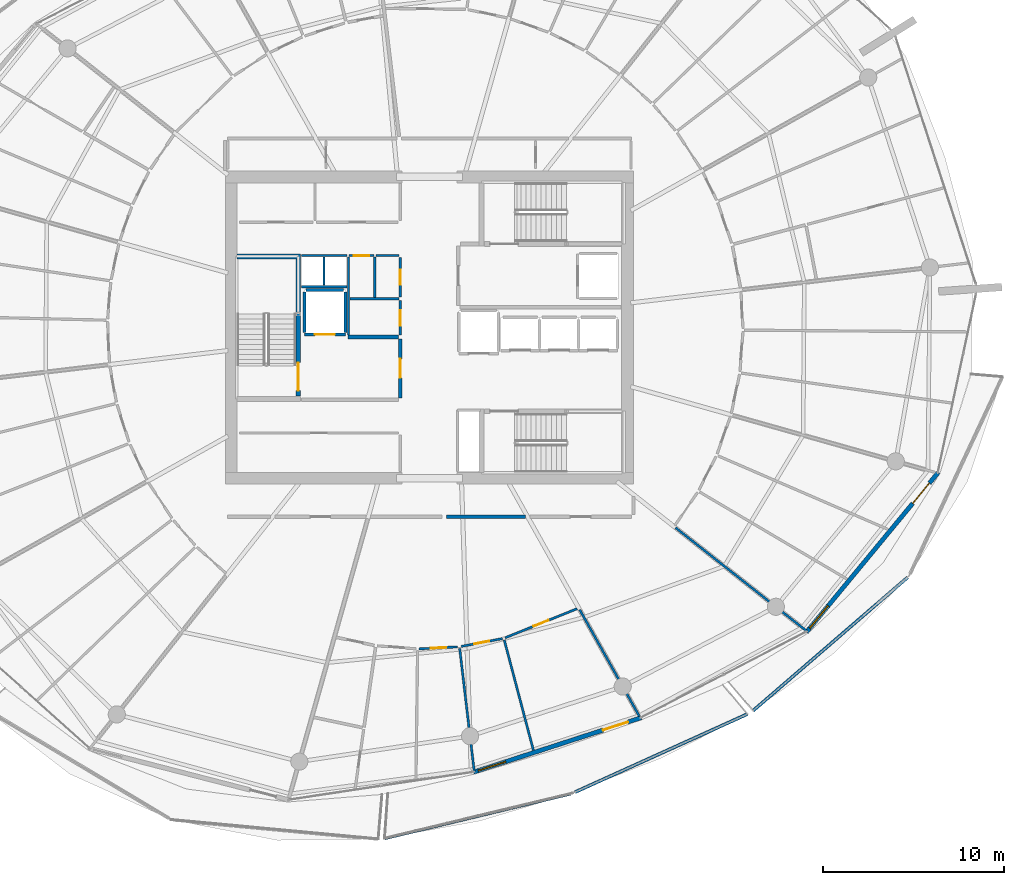
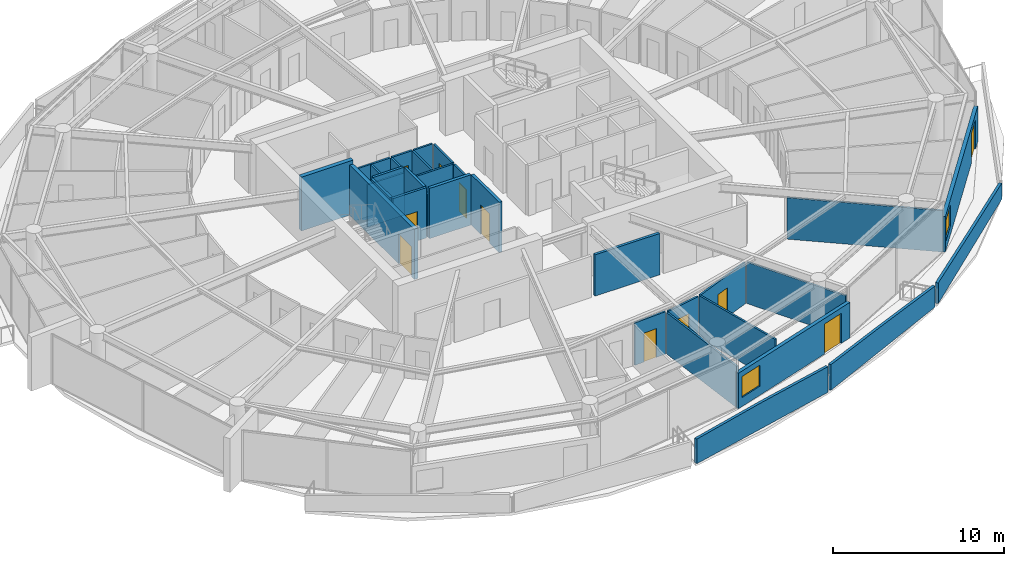
# One storey, part 19 of 30: 31 walls, 11 doors, 2 windows, 13 openings.
"""IFC4 building model written with IfcOpenShell, lengths in metres."""

from ifc_helpers import new_model, si_unit, direction, frame, frame_2d, origin, place, context, subcontext, project, spatial, polyline, rectangle, outline, extrude, material, layer, layer_set, type_object, element, fill, save


model = new_model("IFC4")

# Units and contexts
model_context = context("Model", 3, precision=1e-05, world=origin(), true_north=direction((0.0, 1.0)))
body_context = subcontext(model_context, "Body", "Model", "MODEL_VIEW")
ifc_project = project(units=[si_unit("LENGTHUNIT", "METRE"), si_unit("AREAUNIT", "SQUARE_METRE"), si_unit("VOLUMEUNIT", "CUBIC_METRE"), si_unit("PLANEANGLEUNIT", "RADIAN"), si_unit("MASSUNIT", "GRAM", prefix="KILO")], contexts=[model_context])

# Site, building, storey
site_placement = place(None, origin())
site = spatial("IfcSite", under=ifc_project, at=site_placement, CompositionType="ELEMENT")
building_placement = place(site_placement, origin())
building = spatial("IfcBuilding", under=site, at=building_placement, Name="Kazma Halo Residences", CompositionType="ELEMENT")
storey_placement = place(building_placement, frame((0.0, 0.0, 263.64990234375)))
storey = spatial("IfcBuildingStorey", under=building, at=storey_placement, Name="L66", CompositionType="ELEMENT", Elevation=263.64990234375)

# Walls
ifc_material_1 = material(Name="White Concrete C50/60 Balustrade", Category="concrete")
ifc_layer_1 = layer(ifc_material_1, 0.179931640625)
ifc_layer_set_1 = layer_set([ifc_layer_1], Name="White Concrete C50/60 Balustrade")
wall_type_1 = type_object("IfcWallType", Name="WL-BAL-WAVE-180", PredefinedType="PARAPET", material=ifc_layer_set_1)
wall_1_placement = place(storey_placement, frame((45.952392578125, 13.780517578125, 0.0), z_axis=(0.0, 0.0, 1.0), x_axis=(0.972325059784, 0.233632142729, 0.0)))
element("IfcWall", 1, at=wall_1_placement, inside=storey, type_object=wall_type_1, Name="L66 white wave balustrade wall SSE.1", PredefinedType="PARAPET", context=body_context, shape_type="SweptSolid", body=[
    extrude(outline(polyline([(0.0, 0.0), (10.580322265625, 0.0), (10.580322265625, 1.83203125), (5.290283203125, 1.85302734375), (0.0, 1.756103515625), (0.0, 0.0)])), frame((0.0, 0.08984375, 0.0), z_axis=(0.0, -1.0, 0.0), x_axis=(1.0, 0.0, 0.0)), (0.0, 0.0, 1.0), 0.179931640625),
])
wall_2_placement = place(storey_placement, frame((56.466064453125, 16.329833984375, 0.0), z_axis=(0.0, 0.0, 1.0), x_axis=(0.910900469726, 0.412626143444, 0.0)))
element("IfcWall", 2, at=wall_2_placement, inside=storey, type_object=wall_type_1, Name="L66 white wave balustrade wall SSE.2", PredefinedType="PARAPET", context=body_context, shape_type="SweptSolid", body=[
    extrude(outline(polyline([(0.0, 0.0), (10.4755859375, 0.0), (10.4755859375, 1.4970703125), (5.23779296875, 1.696044921875), (0.0, 1.83203125), (0.0, 0.0)])), frame((0.0, 0.08984375, 0.0), z_axis=(0.0, -1.0, 0.0), x_axis=(1.0, 0.0, 0.0)), (0.0, 0.0, 1.0), 0.179931640625),
])
wall_3_placement = place(storey_placement, frame((66.30615234375, 20.82958984375, 0.0), z_axis=(0.0, 0.0, 1.0), x_axis=(0.757188428153, 0.653196512751, 0.0)))
element("IfcWall", 3, at=wall_3_placement, inside=storey, type_object=wall_type_1, Name="L66 white wave balustrade wall SE.1", PredefinedType="PARAPET", context=body_context, shape_type="SweptSolid", body=[
    extrude(outline(polyline([(0.0, 0.0), (11.2783203125, 0.0), (11.2783203125, 1.148193359375), (5.63916015625, 1.2841796875), (0.0, 1.483154296875), (0.0, 0.0)])), frame((0.0, 0.08984375, 0.0), z_axis=(0.0, -1.0, 0.0), x_axis=(1.0, 0.0, 0.0)), (0.0, 0.0, 1.0), 0.179931640625),
])
ifc_material_2 = material(Name="Concrete C60/75", Category="concrete")
ifc_layer_2 = layer(ifc_material_2, 0.280029296875)
ifc_layer_set_2 = layer_set([ifc_layer_2], Name="Concrete C60/75")
wall_type_2 = type_object("IfcWallType", Name="WL-CORE-ST-280", PredefinedType="SHEAR", material=ifc_layer_set_2)
wall_4_placement = place(storey_placement, frame((37.800048828125, 45.93994140625, 0.0), z_axis=(0.0, 0.0, 1.0), x_axis=(1.0, 0.0, 0.0)))
element("IfcWall", 4, at=wall_4_placement, inside=storey, type_object=wall_type_2, Name="L66 stairwell bearing wall ST01-N", PredefinedType="SHEAR", context=body_context, shape_type="SweptSolid", body=[
    extrude(rectangle(XDim=3.5, YDim=0.280029296875, at=frame_2d((1.75, 0.0))), origin(), (0.0, 0.0, 1.0), 3.85009765625),
])
ifc_material_3 = material(Name="Acoustic Twin-Stud Gypsum")
ifc_layer_3 = layer(ifc_material_3, 0.179931640625)
ifc_layer_set_3 = layer_set([ifc_layer_3], Name="Acoustic Twin-Stud Gypsum")
wall_type_3 = type_object("IfcWallType", Name="WL-DEM-180", PredefinedType="PARTITIONING", material=ifc_layer_set_3)
wall_5_placement = place(storey_placement, frame((49.356689453125, 31.550048828125, 0.0), z_axis=(0.0, 0.0, 1.0), x_axis=(1.0, 0.0, 0.0)))
element("IfcWall", 5, at=wall_5_placement, inside=storey, type_object=wall_type_3, Name="L66 Apartment 2 inner wall 11", PredefinedType="PARTITIONING", context=body_context, shape_type="SweptSolid", body=[
    extrude(rectangle(XDim=4.375732421875, YDim=0.179931640625, at=frame_2d((2.18798828125, 0.0))), origin(), (0.0, 0.0, 1.0), 2.95703125),
])

# Wall, openings, door, window
ifc_material_4 = material(Name="Insulated Pale-Metal Composite Wall")
ifc_layer_4 = layer(ifc_material_4, 0.239990234375)
ifc_layer_set_4 = layer_set([ifc_layer_4], Name="Insulated Pale-Metal Composite Wall")
wall_type_4 = type_object("IfcWallType", Name="WL-EXT-HOST-240", PredefinedType="SOLIDWALL", material=ifc_layer_set_4)
wall_6_placement = place(storey_placement, frame((50.85791015625, 17.436279296875, 0.0), z_axis=(0.0, 0.0, 1.0), x_axis=(0.951055974609, 0.309018661507, 0.0)))
wall_6 = element("IfcWall", 6, at=wall_6_placement, inside=storey, type_object=wall_type_4, Name="L66 exterior terrace-access wall B12", PredefinedType="SOLIDWALL", context=body_context, shape_type="SweptSolid", body=[
    extrude(rectangle(XDim=9.745361328125, YDim=0.239990234375, at=frame_2d((4.87255859375, 0.0))), origin(), (0.0, 0.0, 1.0), 2.5400390625),
])
opening_1_placement = place(wall_6_placement, frame((7.525390625, 0.0, 0.0)))
opening_1 = element("IfcOpeningElement", 7, at=opening_1_placement, cuts=wall_6, Name="Opening DTR-1600", PredefinedType="OPENING", context=body_context, shape_type="SweptSolid", body=[
    extrude(rectangle(XDim=1.449951171875, YDim=2.14990234375, at=frame_2d((0.72509765625, 1.074951171875))), frame((0.0, 0.1298828125, 0.0), z_axis=(0.0, -1.0, 0.0), x_axis=(1.0, 0.0, 0.0)), (0.0, 0.0, 1.0), 0.260009765625),
])
opening_2_placement = place(wall_6_placement, frame((0.280029296875, 0.0, 0.64990234375)))
opening_2 = element("IfcOpeningElement", 8, at=opening_2_placement, cuts=wall_6, Name="Opening W-1800", PredefinedType="OPENING", context=body_context, shape_type="SweptSolid", body=[
    extrude(rectangle(XDim=1.60009765625, YDim=1.5, at=frame_2d((0.800048828125, 0.75))), frame((0.0, 0.1298828125, 0.0), z_axis=(0.0, -1.0, 0.0), x_axis=(1.0, 0.0, 0.0)), (0.0, 0.0, 1.0), 0.260009765625),
])
ifc_material_5 = material(Name="Aluminium AW-6063 T6 Double-Glazed Terrace Door", Category="aluminium")
door_type_1 = type_object("IfcDoorType", Name="DR-EXT-TERR-1600", OperationType="NOTDEFINED", PredefinedType="DOOR", material=ifc_material_5)
door_1_placement = place(opening_1_placement, origin())
door_1 = element("IfcDoor", 9, at=door_1_placement, inside=storey, type_object=door_type_1, Name="L66 B12 balcony terrace door", OperationType="DOUBLE_DOOR_SLIDING", OverallHeight=2.14990234375, OverallWidth=1.449951171875, PredefinedType="DOOR", context=body_context, shape_type="SweptSolid", body=[
    extrude(rectangle(XDim=1.449951171875, YDim=2.14990234375, at=frame_2d((0.72509765625, 1.074951171875))), frame((0.0, 0.02490234375, 0.0), z_axis=(0.0, -1.0, 0.0), x_axis=(1.0, 0.0, 0.0)), (0.0, 0.0, 1.0), 0.050048828125),
])
fill(opening_1, door_1)
ifc_material_6 = material(Name="Clear Triple-Silver Low-E Glass in Aluminium AW-6063 T6 Frame", Category="aluminium")
window_type = type_object("IfcWindowType", Name="WIN-RES-1800", PartitioningType="DOUBLE_PANEL_VERTICAL", PredefinedType="WINDOW", material=ifc_material_6)
window_1_placement = place(opening_2_placement, origin())
window_1 = element("IfcWindow", 10, at=window_1_placement, inside=storey, type_object=window_type, Name="L66 B12 apartment window", OverallHeight=1.5, OverallWidth=1.60009765625, PartitioningType="SINGLE_PANEL", PredefinedType="WINDOW", context=body_context, shape_type="SweptSolid", body=[
    extrude(rectangle(XDim=1.60009765625, YDim=1.5, at=frame_2d((0.800048828125, 0.75))), frame((0.0, 0.030029296875, 0.0), z_axis=(0.0, -1.0, 0.0), x_axis=(1.0, 0.0, 0.0)), (0.0, 0.0, 1.0), 0.06005859375),
])
fill(opening_2, window_1)

wall_7_placement = place(storey_placement, frame((69.2578125, 25.177978515625, 0.0), z_axis=(0.0, 0.0, 1.0), x_axis=(0.636680093065, 0.771128043255, 0.0)))
wall_7 = element("IfcWall", 11, at=wall_7_placement, inside=storey, type_object=wall_type_4, Name="L66 exterior terrace-access wall B14", PredefinedType="SOLIDWALL", context=body_context, shape_type="SweptSolid", body=[
    extrude(rectangle(XDim=11.438232421875, YDim=0.239990234375, at=frame_2d((5.71923828125, 0.0))), origin(), (0.0, 0.0, 1.0), 2.5400390625),
])
opening_3_placement = place(wall_7_placement, frame((9.21826171875, 0.0, 0.0)))
opening_3 = element("IfcOpeningElement", 12, at=opening_3_placement, cuts=wall_7, Name="Opening DTR-1600", PredefinedType="OPENING", context=body_context, shape_type="SweptSolid", body=[
    extrude(rectangle(XDim=1.449951171875, YDim=2.14990234375, at=frame_2d((0.72509765625, 1.074951171875))), frame((0.0, 0.1298828125, 0.0), z_axis=(0.0, -1.0, 0.0), x_axis=(1.0, 0.0, 0.0)), (0.0, 0.0, 1.0), 0.260009765625),
])
opening_4_placement = place(wall_7_placement, frame((0.280029296875, 0.0, 0.64990234375)))
opening_4 = element("IfcOpeningElement", 13, at=opening_4_placement, cuts=wall_7, Name="Opening W-1800", PredefinedType="OPENING", context=body_context, shape_type="SweptSolid", body=[
    extrude(rectangle(XDim=1.60009765625, YDim=1.5, at=frame_2d((0.800048828125, 0.75))), frame((0.0, 0.1298828125, 0.0), z_axis=(0.0, -1.0, 0.0), x_axis=(1.0, 0.0, 0.0)), (0.0, 0.0, 1.0), 0.260009765625),
])
door_2_placement = place(opening_3_placement, origin())
door_2 = element("IfcDoor", 14, at=door_2_placement, inside=storey, type_object=door_type_1, Name="L66 B14 balcony terrace door", OperationType="DOUBLE_DOOR_SLIDING", OverallHeight=2.14990234375, OverallWidth=1.449951171875, PredefinedType="DOOR", context=body_context, shape_type="SweptSolid", body=[
    extrude(rectangle(XDim=1.449951171875, YDim=2.14990234375, at=frame_2d((0.72509765625, 1.074951171875))), frame((0.0, 0.02490234375, 0.0), z_axis=(0.0, -1.0, 0.0), x_axis=(1.0, 0.0, 0.0)), (0.0, 0.0, 1.0), 0.050048828125),
])
fill(opening_3, door_2)
window_2_placement = place(opening_4_placement, origin())
window_2 = element("IfcWindow", 15, at=window_2_placement, inside=storey, type_object=window_type, Name="L66 B14 apartment window", OverallHeight=1.5, OverallWidth=1.60009765625, PartitioningType="SINGLE_PANEL", PredefinedType="WINDOW", context=body_context, shape_type="SweptSolid", body=[
    extrude(rectangle(XDim=1.60009765625, YDim=1.5, at=frame_2d((0.800048828125, 0.75))), frame((0.0, 0.030029296875, 0.0), z_axis=(0.0, -1.0, 0.0), x_axis=(1.0, 0.0, 0.0)), (0.0, 0.0, 1.0), 0.06005859375),
])
fill(opening_4, window_2)

# Wall, opening, door
ifc_material_7 = material(Name="Fire-Rated Blockwork Masonry", Category="masonry")
ifc_layer_5 = layer(ifc_material_7, 0.199951171875)
ifc_layer_set_5 = layer_set([ifc_layer_5], Name="Fire-Rated Blockwork Masonry")
wall_type_5 = type_object("IfcWallType", Name="WL-FLB-200", PredefinedType="PARTITIONING", material=ifc_layer_set_5)
wall_8_placement = place(storey_placement, frame((43.780029296875, 41.6201171875, 0.0), z_axis=(0.0, 0.0, 1.0), x_axis=(-1.0, 0.0, 0.0)))
wall_8 = element("IfcWall", 16, at=wall_8_placement, inside=storey, type_object=wall_type_5, Name="L66 lift shaft FL-01 front wall", PredefinedType="PARTITIONING", context=body_context, shape_type="SweptSolid", body=[
    extrude(rectangle(XDim=2.260009765625, YDim=0.159912109375, at=frame_2d((1.1298828125, 0.0))), origin(), (0.0, 0.0, 1.0), 3.590087890625),
])
opening_5_placement = place(wall_8_placement, frame((0.580078125, 0.0, 0.0)))
opening_5 = element("IfcOpeningElement", 17, at=opening_5_placement, cuts=wall_8, Name="Opening LD-FL-01", PredefinedType="OPENING", context=body_context, shape_type="SweptSolid", body=[
    extrude(rectangle(XDim=1.10009765625, YDim=2.10009765625, at=frame_2d((0.550048828125, 1.050048828125))), frame((0.0, 0.08984375, 0.0), z_axis=(0.0, -1.0, 0.0), x_axis=(1.0, 0.0, 0.0)), (0.0, 0.0, 1.0), 0.179931640625),
])
ifc_material_8 = material(Name="Stainless Steel Fire-Rated", Category="steel")
door_type_2 = type_object("IfcDoorType", Name="DR-LIFT-SLD-1100", OperationType="DOUBLE_DOOR_SLIDING", PredefinedType="DOOR", material=ifc_material_8)
door_3_placement = place(opening_5_placement, origin())
door_3 = element("IfcDoor", 18, at=door_3_placement, inside=storey, type_object=door_type_2, Name="L66 lift FL-01 sliding landing door", OperationType="DOUBLE_DOOR_SLIDING", OverallHeight=2.10009765625, OverallWidth=1.10009765625, PredefinedType="DOOR", context=body_context, shape_type="SweptSolid", body=[
    extrude(rectangle(XDim=1.10009765625, YDim=2.10009765625, at=frame_2d((0.550048828125, 1.050048828125))), frame((0.0, 0.02490234375, 0.0), z_axis=(0.0, -1.0, 0.0), x_axis=(1.0, 0.0, 0.0)), (0.0, 0.0, 1.0), 0.050048828125),
])
fill(opening_5, door_3)

# Walls
for number, where, z_axis, x_axis, name in (
    (19, (43.780029296875, 41.719970703125, 0.0), (0.0, 0.0, 1.0), (0.0, 1.0, 0.0), "L66 lift shaft FL-01 side wall E"),
    (20, (41.52001953125, 41.719970703125, 0.0), (0.0, 0.0, 1.0), (0.0, 1.0, 0.0), "L66 lift shaft FL-01 side wall W"),
):
    element("IfcWall", number, at=place(storey_placement, frame(where, z_axis=z_axis, x_axis=x_axis)), inside=storey, type_object=wall_type_5, Name=name, PredefinedType="PARTITIONING", context=body_context, shape_type="SweptSolid", body=[
        extrude(rectangle(XDim=2.260009765625, YDim=0.159912109375, at=frame_2d((1.1298828125, 0.0))), origin(), (0.0, 0.0, 1.0), 3.590087890625),
    ])
wall_9_placement = place(storey_placement, frame((41.6201171875, 44.080078125, 0.0), z_axis=(0.0, 0.0, 1.0), x_axis=(1.0, 0.0, 0.0)))
element("IfcWall", 21, at=wall_9_placement, inside=storey, type_object=wall_type_5, Name="L66 lift shaft FL-01 side wall N", PredefinedType="PARTITIONING", context=body_context, shape_type="SweptSolid", body=[
    extrude(rectangle(XDim=2.059814453125, YDim=0.159912109375, at=frame_2d((1.02978515625, 0.0))), origin(), (0.0, 0.0, 1.0), 3.590087890625),
])
wall_10_placement = place(storey_placement, frame((43.919921875, 41.47998046875, 0.0), z_axis=(0.0, 0.0, 1.0), x_axis=(1.0, 0.0, 0.0)))
element("IfcWall", 22, at=wall_10_placement, inside=storey, type_object=wall_type_5, Name="L66 west firefighting lobby north smoke wall", PredefinedType="PARTITIONING", context=body_context, shape_type="SweptSolid", body=[
    extrude(rectangle(XDim=2.800048828125, YDim=0.199951171875, at=frame_2d((1.39990234375, 0.0))), origin(), (0.0, 0.0, 1.0), 3.590087890625),
])

# Wall, opening, door
wall_11_placement = place(storey_placement, frame((46.820068359375, 38.1201171875, 0.0), z_axis=(0.0, 0.0, 1.0), x_axis=(0.0, 1.0, 0.0)))
wall_11 = element("IfcWall", 23, at=wall_11_placement, inside=storey, type_object=wall_type_5, Name="L66 west firefighting lobby smoke wall", PredefinedType="PARTITIONING", context=body_context, shape_type="SweptSolid", body=[
    extrude(rectangle(XDim=3.259765625, YDim=0.199951171875, at=frame_2d((1.6298828125, 0.0))), origin(), (0.0, 0.0, 1.0), 3.590087890625),
])
opening_6_placement = place(wall_11_placement, frame((1.10498046875, 0.0, 0.0)))
opening_6 = element("IfcOpeningElement", 24, at=opening_6_placement, cuts=wall_11, Name="Opening D-FLW", PredefinedType="OPENING", context=body_context, shape_type="SweptSolid", body=[
    extrude(rectangle(XDim=1.050048828125, YDim=2.10009765625, at=frame_2d((0.52490234375, 1.050048828125))), frame((0.0, 0.10986328125, 0.0), z_axis=(0.0, -1.0, 0.0), x_axis=(1.0, 0.0, 0.0)), (0.0, 0.0, 1.0), 0.219970703125),
])
ifc_material_9 = material(Name="Fire-Rated Steel Leaf", Category="steel")
door_type_3 = type_object("IfcDoorType", Name="DR-FD90-1050", OperationType="NOTDEFINED", PredefinedType="DOOR", material=ifc_material_9)
door_4_placement = place(opening_6_placement, origin())
door_4 = element("IfcDoor", 25, at=door_4_placement, inside=storey, type_object=door_type_3, Name="L66 west firefighting lobby smoke door", OperationType="SINGLE_SWING_LEFT", OverallHeight=2.10009765625, OverallWidth=1.050048828125, PredefinedType="DOOR", context=body_context, shape_type="SweptSolid", body=[
    extrude(rectangle(XDim=1.050048828125, YDim=2.10009765625, at=frame_2d((0.52490234375, 1.050048828125))), frame((0.0, 0.02490234375, 0.0), z_axis=(0.0, -1.0, 0.0), x_axis=(1.0, 0.0, 0.0)), (0.0, 0.0, 1.0), 0.050048828125),
])
fill(opening_6, door_4)

# Walls
ifc_material_10 = material(Name="Gypsum Plasterboard Partition")
ifc_layer_6 = layer(ifc_material_10, 0.125)
ifc_layer_set_6 = layer_set([ifc_layer_6], Name="Gypsum Plasterboard Partition")
wall_type_6 = type_object("IfcWallType", Name="WL-PART-125", PredefinedType="PARTITIONING", material=ifc_layer_set_6)
wall_12_placement = place(storey_placement, frame((41.360107421875, 44.260009765625, 0.0), z_axis=(0.0, 0.0, 1.0), x_axis=(1.0, 0.0, 0.0)))
element("IfcWall", 26, at=wall_12_placement, inside=storey, type_object=wall_type_6, Name="L66 core riser south wall", PredefinedType="PARTITIONING", context=body_context, shape_type="SweptSolid", body=[
    extrude(rectangle(XDim=2.5, YDim=0.125, at=frame_2d((1.25, 0.0))), origin(), (0.0, 0.0, 1.0), 3.030029296875),
])
wall_13_placement = place(storey_placement, frame((42.60009765625, 44.35009765625, 0.0), z_axis=(0.0, 0.0, 1.0), x_axis=(0.0, 1.0, 0.0)))
element("IfcWall", 27, at=wall_13_placement, inside=storey, type_object=wall_type_6, Name="L66 core riser divider wall", PredefinedType="PARTITIONING", context=body_context, shape_type="SweptSolid", body=[
    extrude(rectangle(XDim=1.5498046875, YDim=0.125, at=frame_2d((0.77490234375, 0.0))), origin(), (0.0, 0.0, 1.0), 3.030029296875),
])
wall_14_placement = place(storey_placement, frame((43.949951171875, 41.580078125, 0.0), z_axis=(0.0, 0.0, 1.0), x_axis=(0.0, 1.0, 0.0)))
element("IfcWall", 28, at=wall_14_placement, inside=storey, type_object=wall_type_6, Name="L66 core service west wall", PredefinedType="PARTITIONING", context=body_context, shape_type="SweptSolid", body=[
    extrude(rectangle(XDim=4.31982421875, YDim=0.125, at=frame_2d((2.159912109375, 0.0))), origin(), (0.0, 0.0, 1.0), 3.030029296875),
])
wall_15_placement = place(storey_placement, frame((44.030029296875, 43.590087890625, 0.0), z_axis=(0.0, 0.0, 1.0), x_axis=(1.0, 0.0, 0.0)))
element("IfcWall", 29, at=wall_15_placement, inside=storey, type_object=wall_type_6, Name="L66 core service horiz divider", PredefinedType="PARTITIONING", context=body_context, shape_type="SweptSolid", body=[
    extrude(rectangle(XDim=2.7099609375, YDim=0.125, at=frame_2d((1.35498046875, 0.0))), origin(), (0.0, 0.0, 1.0), 3.030029296875),
])
wall_16_placement = place(storey_placement, frame((45.409912109375, 43.669921875, 0.0), z_axis=(0.0, 0.0, 1.0), x_axis=(0.0, 1.0, 0.0)))
element("IfcWall", 30, at=wall_16_placement, inside=storey, type_object=wall_type_6, Name="L66 core service vert divider", PredefinedType="PARTITIONING", context=body_context, shape_type="SweptSolid", body=[
    extrude(rectangle(XDim=2.22998046875, YDim=0.125, at=frame_2d((1.114990234375, 0.0))), origin(), (0.0, 0.0, 1.0), 3.030029296875),
])

# Wall, opening, door
wall_17_placement = place(storey_placement, frame((46.820068359375, 41.580078125, 0.0), z_axis=(0.0, 0.0, 1.0), x_axis=(0.0, 1.0, 0.0)))
wall_17 = element("IfcWall", 31, at=wall_17_placement, inside=storey, type_object=wall_type_6, Name="L66 refuse room east wall", PredefinedType="PARTITIONING", context=body_context, shape_type="SweptSolid", body=[
    extrude(rectangle(XDim=1.909912109375, YDim=0.125, at=frame_2d((0.955078125, 0.0))), origin(), (0.0, 0.0, 1.0), 3.030029296875),
])
opening_7_placement = place(wall_17_placement, frame((0.530029296875, 0.0, 0.0)))
opening_7 = element("IfcOpeningElement", 32, at=opening_7_placement, cuts=wall_17, Name="Opening DS-850", PredefinedType="OPENING", context=body_context, shape_type="SweptSolid", body=[
    extrude(rectangle(XDim=0.85009765625, YDim=2.06005859375, at=frame_2d((0.425048828125, 1.030029296875))), frame((0.0, 0.072509765625, 0.0), z_axis=(0.0, -1.0, 0.0), x_axis=(1.0, 0.0, 0.0)), (0.0, 0.0, 1.0), 0.14501953125),
])
ifc_material_11 = material(Name="Painted Steel Access Leaf", Category="steel")
door_type_4 = type_object("IfcDoorType", Name="DR-SVC-850", OperationType="NOTDEFINED", PredefinedType="DOOR", material=ifc_material_11)
door_5_placement = place(opening_7_placement, origin())
door_5 = element("IfcDoor", 33, at=door_5_placement, inside=storey, type_object=door_type_4, Name="L66 refuse room door", OperationType="SINGLE_SWING_LEFT", OverallHeight=2.06005859375, OverallWidth=0.85009765625, PredefinedType="DOOR", context=body_context, shape_type="SweptSolid", body=[
    extrude(rectangle(XDim=0.85009765625, YDim=2.06005859375, at=frame_2d((0.425048828125, 1.030029296875))), frame((0.0, 0.02490234375, 0.0), z_axis=(0.0, -1.0, 0.0), x_axis=(1.0, 0.0, 0.0)), (0.0, 0.0, 1.0), 0.050048828125),
])
fill(opening_7, door_5)

wall_18_placement = place(storey_placement, frame((46.820068359375, 43.68994140625, 0.0), z_axis=(0.0, 0.0, 1.0), x_axis=(0.0, 1.0, 0.0)))
wall_18 = element("IfcWall", 34, at=wall_18_placement, inside=storey, type_object=wall_type_6, Name="L66 sub-metering east wall", PredefinedType="PARTITIONING", context=body_context, shape_type="SweptSolid", body=[
    extrude(rectangle(XDim=2.18994140625, YDim=0.125, at=frame_2d((1.094970703125, 0.0))), origin(), (0.0, 0.0, 1.0), 3.030029296875),
])
opening_8_placement = place(wall_18_placement, frame((0.669921875, 0.0, 0.0)))
opening_8 = element("IfcOpeningElement", 35, at=opening_8_placement, cuts=wall_18, Name="Opening DS-850", PredefinedType="OPENING", context=body_context, shape_type="SweptSolid", body=[
    extrude(rectangle(XDim=0.85009765625, YDim=2.06005859375, at=frame_2d((0.425048828125, 1.030029296875))), frame((0.0, 0.072509765625, 0.0), z_axis=(0.0, -1.0, 0.0), x_axis=(1.0, 0.0, 0.0)), (0.0, 0.0, 1.0), 0.14501953125),
])
door_6_placement = place(opening_8_placement, origin())
door_6 = element("IfcDoor", 36, at=door_6_placement, inside=storey, type_object=door_type_4, Name="L66 sub-metering door", OperationType="SINGLE_SWING_RIGHT", OverallHeight=2.06005859375, OverallWidth=0.85009765625, PredefinedType="DOOR", context=body_context, shape_type="SweptSolid", body=[
    extrude(rectangle(XDim=0.85009765625, YDim=2.06005859375, at=frame_2d((0.425048828125, 1.030029296875))), frame((0.0, 0.02490234375, 0.0), z_axis=(0.0, -1.0, 0.0), x_axis=(1.0, 0.0, 0.0)), (0.0, 0.0, 1.0), 0.050048828125),
])
fill(opening_8, door_6)

# Wall
wall_19_placement = place(storey_placement, frame((41.35009765625, 45.97998046875, 0.0), z_axis=(0.0, 0.0, 1.0), x_axis=(1.0, 0.0, 0.0)))
element("IfcWall", 37, at=wall_19_placement, inside=storey, type_object=wall_type_6, Name="L66 core riser NW wall", PredefinedType="PARTITIONING", context=body_context, shape_type="SweptSolid", body=[
    extrude(rectangle(XDim=2.52978515625, YDim=0.125, at=frame_2d((1.264892578125, 0.0))), origin(), (0.0, 0.0, 1.0), 3.030029296875),
])

# Wall, opening, door
wall_20_placement = place(storey_placement, frame((43.989990234375, 45.97998046875, 0.0), z_axis=(0.0, 0.0, 1.0), x_axis=(1.0, 0.0, 0.0)))
wall_20 = element("IfcWall", 38, at=wall_20_placement, inside=storey, type_object=wall_type_6, Name="L66 cleaners cupboard north wall", PredefinedType="PARTITIONING", context=body_context, shape_type="SweptSolid", body=[
    extrude(rectangle(XDim=1.380126953125, YDim=0.125, at=frame_2d((0.68994140625, 0.0))), origin(), (0.0, 0.0, 1.0), 3.030029296875),
])
opening_9_placement = place(wall_20_placement, frame((0.264892578125, 0.0, 0.0)))
opening_9 = element("IfcOpeningElement", 39, at=opening_9_placement, cuts=wall_20, Name="Opening DS-850", PredefinedType="OPENING", context=body_context, shape_type="SweptSolid", body=[
    extrude(rectangle(XDim=0.85009765625, YDim=2.06005859375, at=frame_2d((0.425048828125, 1.030029296875))), frame((0.0, 0.072509765625, 0.0), z_axis=(0.0, -1.0, 0.0), x_axis=(1.0, 0.0, 0.0)), (0.0, 0.0, 1.0), 0.14501953125),
])
door_7_placement = place(opening_9_placement, origin())
door_7 = element("IfcDoor", 40, at=door_7_placement, inside=storey, type_object=door_type_4, Name="L66 cleaners cupboard door", OperationType="SINGLE_SWING_LEFT", OverallHeight=2.06005859375, OverallWidth=0.85009765625, PredefinedType="DOOR", context=body_context, shape_type="SweptSolid", body=[
    extrude(rectangle(XDim=0.85009765625, YDim=2.06005859375, at=frame_2d((0.425048828125, 1.030029296875))), frame((0.0, 0.02490234375, 0.0), z_axis=(0.0, -1.0, 0.0), x_axis=(1.0, 0.0, 0.0)), (0.0, 0.0, 1.0), 0.050048828125),
])
fill(opening_9, door_7)

# Wall
wall_21_placement = place(storey_placement, frame((45.47998046875, 45.97998046875, 0.0), z_axis=(0.0, 0.0, 1.0), x_axis=(1.0, 0.0, 0.0)))
element("IfcWall", 41, at=wall_21_placement, inside=storey, type_object=wall_type_6, Name="L66 sub-metering north wall", PredefinedType="PARTITIONING", context=body_context, shape_type="SweptSolid", body=[
    extrude(rectangle(XDim=1.260009765625, YDim=0.125, at=frame_2d((0.6298828125, 0.0))), origin(), (0.0, 0.0, 1.0), 3.030029296875),
])

# Wall, opening, door
wall_22_placement = place(storey_placement, frame((47.853271484375, 24.24853515625, 0.0), z_axis=(0.0, 0.0, 1.0), x_axis=(0.998618144909, 0.052552836822, 0.0)))
wall_22 = element("IfcWall", 42, at=wall_22_placement, inside=storey, type_object=wall_type_6, Name="L66 Apartment 2 Primary Bedroom hall wall", PredefinedType="PARTITIONING", context=body_context, shape_type="SweptSolid", body=[
    extrude(rectangle(XDim=2.136962890625, YDim=0.125, at=frame_2d((1.068359375, 0.0))), origin(), (0.0, 0.0, 1.0), 3.030029296875),
])
opening_10_placement = place(wall_22_placement, frame((0.643310546875, 0.0, 0.0)))
opening_10 = element("IfcOpeningElement", 43, at=opening_10_placement, cuts=wall_22, Name="Opening DB-900", PredefinedType="OPENING", context=body_context, shape_type="SweptSolid", body=[
    extrude(rectangle(XDim=0.85009765625, YDim=2.06005859375, at=frame_2d((0.425048828125, 1.030029296875))), frame((0.0, 0.072509765625, 0.0), z_axis=(0.0, -1.0, 0.0), x_axis=(1.0, 0.0, 0.0)), (0.0, 0.0, 1.0), 0.14501953125),
])
ifc_material_12 = material(Name="Moisture-Sealed Timber Leaf", Category="wood")
door_type_5 = type_object("IfcDoorType", Name="DR-BTH-900", OperationType="NOTDEFINED", PredefinedType="DOOR", material=ifc_material_12)
door_8_placement = place(opening_10_placement, origin())
door_8 = element("IfcDoor", 44, at=door_8_placement, inside=storey, type_object=door_type_5, Name="L66 Apartment 2 Primary Bedroom door", OperationType="SINGLE_SWING_RIGHT", OverallHeight=2.06005859375, OverallWidth=0.85009765625, PredefinedType="DOOR", context=body_context, shape_type="SweptSolid", body=[
    extrude(rectangle(XDim=0.85009765625, YDim=2.06005859375, at=frame_2d((0.425048828125, 1.030029296875))), frame((0.0, 0.02490234375, 0.0), z_axis=(0.0, -1.0, 0.0), x_axis=(1.0, 0.0, 0.0)), (0.0, 0.0, 1.0), 0.050048828125),
])
fill(opening_10, door_8)

# Walls
wall_23_placement = place(storey_placement, frame((50.098876953125, 24.266845703125, 0.0), z_axis=(0.0, 0.0, 1.0), x_axis=(0.117541429875, -0.993067979679, 0.0)))
element("IfcWall", 45, at=wall_23_placement, inside=storey, type_object=wall_type_6, Name="L66 Apartment 2 radial partition 11", PredefinedType="PARTITIONING", context=body_context, shape_type="SweptSolid", body=[
    extrude(rectangle(XDim=6.837646484375, YDim=0.125, at=frame_2d((3.4189453125, 0.0))), origin(), (0.0, 0.0, 1.0), 2.95703125),
])
wall_24_placement = place(storey_placement, frame((56.725341796875, 26.419921875, 0.0), z_axis=(0.0, 0.0, 1.0), x_axis=(0.488624332812, -0.872494275846, 0.0)))
element("IfcWall", 46, at=wall_24_placement, inside=storey, type_object=wall_type_6, Name="L66 Apartment 2 living radial partition 11", PredefinedType="PARTITIONING", context=body_context, shape_type="SweptSolid", body=[
    extrude(rectangle(XDim=6.73779296875, YDim=0.125, at=frame_2d((3.368896484375, 0.0))), origin(), (0.0, 0.0, 1.0), 2.95703125),
])
wall_25_placement = place(storey_placement, frame((52.560302734375, 24.74560546875, 0.0), z_axis=(0.0, 0.0, 1.0), x_axis=(0.255531000294, -0.966800862582, 0.0)))
element("IfcWall", 47, at=wall_25_placement, inside=storey, type_object=wall_type_6, Name="L66 Apartment 2 mid-bay wall 11", PredefinedType="PARTITIONING", context=body_context, shape_type="SweptSolid", body=[
    extrude(rectangle(XDim=6.310546875, YDim=0.125, at=frame_2d((3.1552734375, 0.0))), origin(), (0.0, 0.0, 1.0), 3.030029296875),
])

# Wall, opening, door
wall_26_placement = place(storey_placement, frame((50.185302734375, 24.384765625, 0.0), z_axis=(0.0, 0.0, 1.0), x_axis=(0.982371792313, 0.186937587627, 0.0)))
wall_26 = element("IfcWall", 48, at=wall_26_placement, inside=storey, type_object=wall_type_6, Name="L66 Apartment 2 East Bedroom hall wall", PredefinedType="PARTITIONING", context=body_context, shape_type="SweptSolid", body=[
    extrude(rectangle(XDim=2.314208984375, YDim=0.125, at=frame_2d((1.1572265625, 0.0))), origin(), (0.0, 0.0, 1.0), 2.95703125),
])
opening_11_placement = place(wall_26_placement, frame((0.732177734375, 0.0, 0.0)))
opening_11 = element("IfcOpeningElement", 49, at=opening_11_placement, cuts=wall_26, Name="Opening DB-900", PredefinedType="OPENING", context=body_context, shape_type="SweptSolid", body=[
    extrude(rectangle(XDim=0.85009765625, YDim=2.06005859375, at=frame_2d((0.425048828125, 1.030029296875))), frame((0.0, 0.072509765625, 0.0), z_axis=(0.0, -1.0, 0.0), x_axis=(1.0, 0.0, 0.0)), (0.0, 0.0, 1.0), 0.14501953125),
])
door_9_placement = place(opening_11_placement, origin())
door_9 = element("IfcDoor", 50, at=door_9_placement, inside=storey, type_object=door_type_5, Name="L66 Apartment 2 East Bedroom door", OperationType="SINGLE_SWING_RIGHT", OverallHeight=2.06005859375, OverallWidth=0.85009765625, PredefinedType="DOOR", context=body_context, shape_type="SweptSolid", body=[
    extrude(rectangle(XDim=0.85009765625, YDim=2.06005859375, at=frame_2d((0.425048828125, 1.030029296875))), frame((0.0, 0.02490234375, 0.0), z_axis=(0.0, -1.0, 0.0), x_axis=(1.0, 0.0, 0.0)), (0.0, 0.0, 1.0), 0.050048828125),
])
fill(opening_11, door_9)

wall_27_placement = place(storey_placement, frame((52.611572265625, 24.862548828125, 0.0), z_axis=(0.0, 0.0, 1.0), x_axis=(0.927015680649, 0.375022569762, 0.0)))
wall_27 = element("IfcWall", 51, at=wall_27_placement, inside=storey, type_object=wall_type_6, Name="L66 Apartment 2 West Bedroom hall wall", PredefinedType="PARTITIONING", context=body_context, shape_type="SweptSolid", body=[
    extrude(rectangle(XDim=4.284912109375, YDim=0.125, at=frame_2d((2.142578125, 0.0))), origin(), (0.0, 0.0, 1.0), 2.95703125),
])
opening_12_placement = place(wall_27_placement, frame((1.6923828125, 0.0, 0.0)))
opening_12 = element("IfcOpeningElement", 52, at=opening_12_placement, cuts=wall_27, Name="Opening DI-950", PredefinedType="OPENING", context=body_context, shape_type="SweptSolid", body=[
    extrude(rectangle(XDim=0.89990234375, YDim=2.080078125, at=frame_2d((0.449951171875, 1.0400390625))), frame((0.0, 0.072509765625, 0.0), z_axis=(0.0, -1.0, 0.0), x_axis=(1.0, 0.0, 0.0)), (0.0, 0.0, 1.0), 0.14501953125),
])
ifc_material_13 = material(Name="Timber Veneer Flush Leaf", Category="wood")
door_type_6 = type_object("IfcDoorType", Name="DR-INT-950", OperationType="NOTDEFINED", PredefinedType="DOOR", material=ifc_material_13)
door_10_placement = place(opening_12_placement, origin())
door_10 = element("IfcDoor", 53, at=door_10_placement, inside=storey, type_object=door_type_6, Name="L66 Apartment 2 West Bedroom door", OperationType="SINGLE_SWING_LEFT", OverallHeight=2.080078125, OverallWidth=0.89990234375, PredefinedType="DOOR", context=body_context, shape_type="SweptSolid", body=[
    extrude(rectangle(XDim=0.89990234375, YDim=2.080078125, at=frame_2d((0.449951171875, 1.0400390625))), frame((0.0, 0.02490234375, 0.0), z_axis=(0.0, -1.0, 0.0), x_axis=(1.0, 0.0, 0.0)), (0.0, 0.0, 1.0), 0.050048828125),
])
fill(opening_12, door_10)

# Wall
wall_28_placement = place(storey_placement, frame((62.0234375, 30.94482421875, 0.0), z_axis=(0.0, 0.0, 1.0), x_axis=(0.785322102606, -0.619087388952, 0.0)))
element("IfcWall", 54, at=wall_28_placement, inside=storey, type_object=wall_type_6, Name="L66 Apartment 2 radial partition 13", PredefinedType="PARTITIONING", context=body_context, shape_type="SweptSolid", body=[
    extrude(rectangle(XDim=9.2275390625, YDim=0.125, at=frame_2d((4.61376953125, 0.0))), origin(), (0.0, 0.0, 1.0), 2.95703125),
])

# Wall, opening, door
ifc_material_14 = material(Name="Concrete C50/60", Category="concrete")
ifc_layer_7 = layer(ifc_material_14, 0.25)
ifc_layer_set_7 = layer_set([ifc_layer_7], Name="Concrete C50/60")
wall_type_7 = type_object("IfcWallType", Name="WL-SHF-250", PredefinedType="SOLIDWALL", material=ifc_layer_set_7)
wall_29_placement = place(storey_placement, frame((41.179931640625, 38.219970703125, 0.0), z_axis=(0.0, 0.0, 1.0), x_axis=(0.0, 1.0, 0.0)))
wall_29 = element("IfcWall", 55, at=wall_29_placement, inside=storey, type_object=wall_type_7, Name="L66 exit stair ST-01 enclosure wall", PredefinedType="SOLIDWALL", context=body_context, shape_type="SweptSolid", body=[
    extrude(rectangle(XDim=7.56005859375, YDim=0.25, at=frame_2d((3.780029296875, 0.0))), origin(), (0.0, 0.0, 1.0), 3.590087890625),
])
opening_13_placement = place(wall_29_placement, frame((0.300048828125, 0.0, 0.0)))
opening_13 = element("IfcOpeningElement", 56, at=opening_13_placement, cuts=wall_29, Name="Opening D-ST1", PredefinedType="OPENING", context=body_context, shape_type="SweptSolid", body=[
    extrude(rectangle(XDim=1.550048828125, YDim=2.14990234375, at=frame_2d((0.77490234375, 1.074951171875))), frame((0.0, 0.135009765625, 0.0), z_axis=(0.0, -1.0, 0.0), x_axis=(1.0, 0.0, 0.0)), (0.0, 0.0, 1.0), 0.27001953125),
])
ifc_material_15 = material(Name="Fire-Rated Double Steel Leaf", Category="steel")
door_type_7 = type_object("IfcDoorType", Name="DR-FD90-1550", OperationType="NOTDEFINED", PredefinedType="DOOR", material=ifc_material_15)
door_11_placement = place(opening_13_placement, origin())
door_11 = element("IfcDoor", 57, at=door_11_placement, inside=storey, type_object=door_type_7, Name="L66 exit stair ST-01 fire door", OperationType="DOUBLE_DOOR_SINGLE_SWING", OverallHeight=2.14990234375, OverallWidth=1.550048828125, PredefinedType="DOOR", context=body_context, shape_type="SweptSolid", body=[
    extrude(rectangle(XDim=1.550048828125, YDim=2.14990234375, at=frame_2d((0.77490234375, 1.074951171875))), frame((0.0, 0.02490234375, 0.0), z_axis=(0.0, -1.0, 0.0), x_axis=(1.0, 0.0, 0.0)), (0.0, 0.0, 1.0), 0.050048828125),
])
fill(opening_13, door_11)

save(model, "model.ifc")
